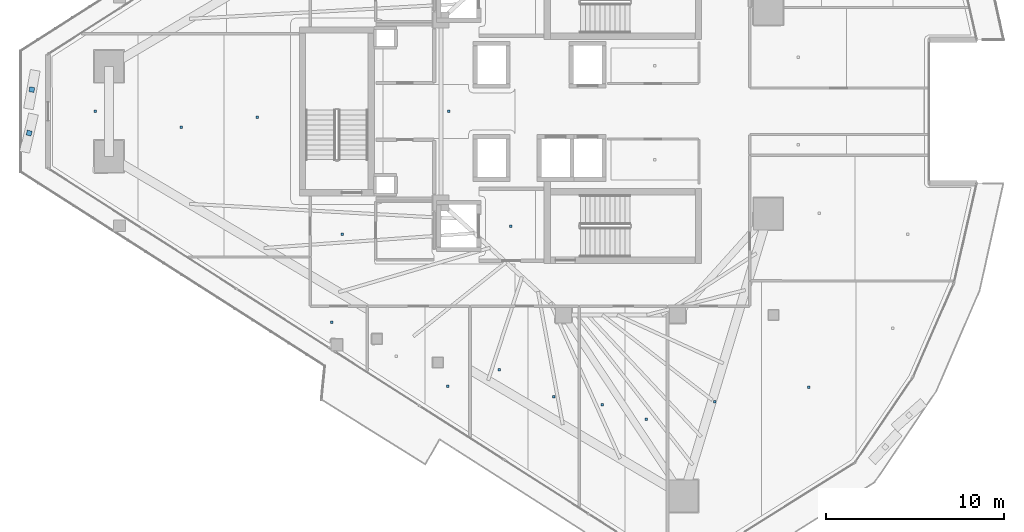
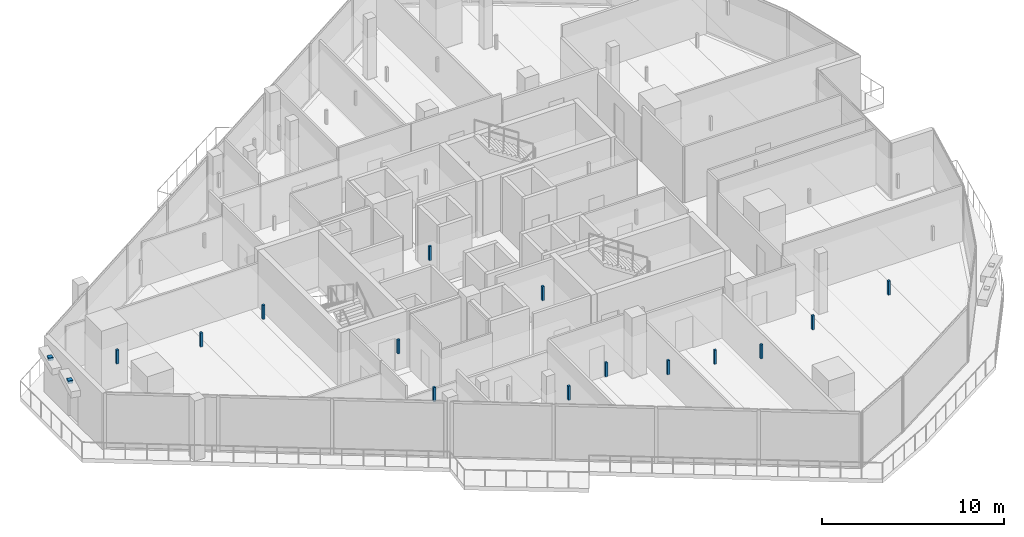
# One storey, part 27 of 36: 16 discrete accessories.
"""IFC4 building model written with IfcOpenShell, lengths in metres."""

from ifc_helpers import new_model, si_unit, direction, frame, origin, origin_2d, place, context, subcontext, project, spatial, rectangle, extrude, material, type_object, element, save


model = new_model("IFC4")

# Units and contexts
model_context = context("Model", 3, precision=1e-05, world=origin(), true_north=direction((0.0, 1.0)))
body_context = subcontext(model_context, "Body", "Model", "MODEL_VIEW")
ifc_project = project(units=[si_unit("LENGTHUNIT", "METRE"), si_unit("AREAUNIT", "SQUARE_METRE"), si_unit("VOLUMEUNIT", "CUBIC_METRE"), si_unit("PLANEANGLEUNIT", "RADIAN"), si_unit("MASSUNIT", "GRAM", prefix="KILO")], contexts=[model_context])

# Site, building, storey
site_placement = place(None, origin())
site = spatial("IfcSite", under=ifc_project, at=site_placement, CompositionType="ELEMENT")
building_placement = place(site_placement, origin())
building = spatial("IfcBuilding", under=site, at=building_placement, Name="Qorvath Tower", CompositionType="ELEMENT")
storey_placement = place(building_placement, frame((0.0, 0.0, 241.5)))
storey = spatial("IfcBuildingStorey", under=building, at=storey_placement, Name="L56", CompositionType="ELEMENT", Elevation=241.5)

# Discrete accessories
ifc_material = material(Name="Galvanised steel bracket", Category="steel")
discrete_accessory_type = type_object("IfcDiscreteAccessoryType", Name="DA-BRACKET", PredefinedType="BRACKET", material=ifc_material)
for number, where, z_axis, x_axis, name in (
    (1, (-53.50634765625, 1.222412109375, 3.64013671875), (0.0, 0.0, 1.0), (-0.173802868764, -0.984780464271, 0.0), "Louvre Wave Support Bracket L56-01"),
    (2, (-53.658447265625, -1.222412109375, 3.64013671875), (0.0, 0.0, 1.0), (-0.223787686265, -0.97463791814, 0.0), "Louvre Wave Support Bracket L56-02"),
):
    element("IfcDiscreteAccessory", number, at=place(storey_placement, frame(where, z_axis=z_axis, x_axis=x_axis)), inside=storey, type_object=discrete_accessory_type, Name=name, PredefinedType="NOTDEFINED", context=body_context, shape_type="SweptSolid", body=[
        extrude(rectangle(XDim=0.280029296875, YDim=0.280029296875, at=origin_2d()), origin(), (0.0, 0.0, 1.0), 0.199951171875),
    ])
for number, where, z_axis, x_axis, name in (
    (3, (-26.590087890625, -6.449951171875, 2.85986328125), (0.0, 0.0, 1.0), (1.0, 0.0, 0.0), "Acoustic Ceiling Suspension Hanger T1-L56-002"),
    (4, (-36.04150390625, -6.907470703125, 2.85986328125), (0.0, 0.0, 1.0), (1.0, 0.0, 0.0), "Acoustic Ceiling Suspension Hanger T1-L56-009"),
    (5, (-30.053466796875, 0.0, 2.85986328125), (0.0, 0.0, 1.0), (1.0, 0.0, 0.0), "Acoustic Ceiling Suspension Hanger T1-L56-011"),
    (6, (-30.129638671875, -15.45263671875, 2.85986328125), (0.0, 0.0, 1.0), (1.0, 0.0, 0.0), "Acoustic Ceiling Suspension Hanger T1-L56-022"),
    (7, (-27.22998046875, -14.525634765625, 2.85986328125), (0.0, 0.0, 1.0), (1.0, 0.0, 0.0), "Acoustic Ceiling Suspension Hanger T1-L56-023"),
    (8, (-24.174072265625, -16.059326171875, 2.85986328125), (0.0, 0.0, 1.0), (1.0, 0.0, 0.0), "Acoustic Ceiling Suspension Hanger T1-L56-024"),
    (9, (-21.43212890625, -16.484375, 2.85986328125), (0.0, 0.0, 1.0), (1.0, 0.0, 0.0), "Acoustic Ceiling Suspension Hanger T1-L56-025"),
    (10, (-18.9599609375, -17.307373046875, 2.85986328125), (0.0, 0.0, 1.0), (1.0, 0.0, 0.0), "Acoustic Ceiling Suspension Hanger T1-L56-026"),
    (11, (-15.112060546875, -16.322265625, 2.85986328125), (0.0, 0.0, 1.0), (1.0, 0.0, 0.0), "Acoustic Ceiling Suspension Hanger T1-L56-027"),
    (12, (-9.8212890625, -15.51318359375, 2.85986328125), (0.0, 0.0, 1.0), (1.0, 0.0, 0.0), "Acoustic Ceiling Suspension Hanger T1-L56-028"),
    (13, (-36.631103515625, -11.856689453125, 2.85986328125), (0.0, 0.0, 1.0), (1.0, 0.0, 0.0), "Acoustic Ceiling Suspension Hanger T1-L56-038"),
    (14, (-49.94287109375, 0.0, 2.85986328125), (0.0, 0.0, 1.0), (1.0, 0.0, 0.0), "Acoustic Ceiling Suspension Hanger T1-L56-039"),
    (15, (-45.11376953125, -0.8974609375, 2.85986328125), (0.0, 0.0, 1.0), (1.0, 0.0, 0.0), "Acoustic Ceiling Suspension Hanger T1-L56-040"),
    (16, (-40.823486328125, -0.31787109375, 2.85986328125), (0.0, 0.0, 1.0), (1.0, 0.0, 0.0), "Acoustic Ceiling Suspension Hanger T1-L56-041"),
):
    element("IfcDiscreteAccessory", number, at=place(storey_placement, frame(where, z_axis=z_axis, x_axis=x_axis)), inside=storey, type_object=discrete_accessory_type, Name=name, PredefinedType="NOTDEFINED", context=body_context, shape_type="SweptSolid", body=[
        extrude(rectangle(XDim=0.139892578125, YDim=0.139892578125, at=origin_2d()), origin(), (0.0, 0.0, 1.0), 0.949951171875),
    ])

save(model, "model.ifc")
